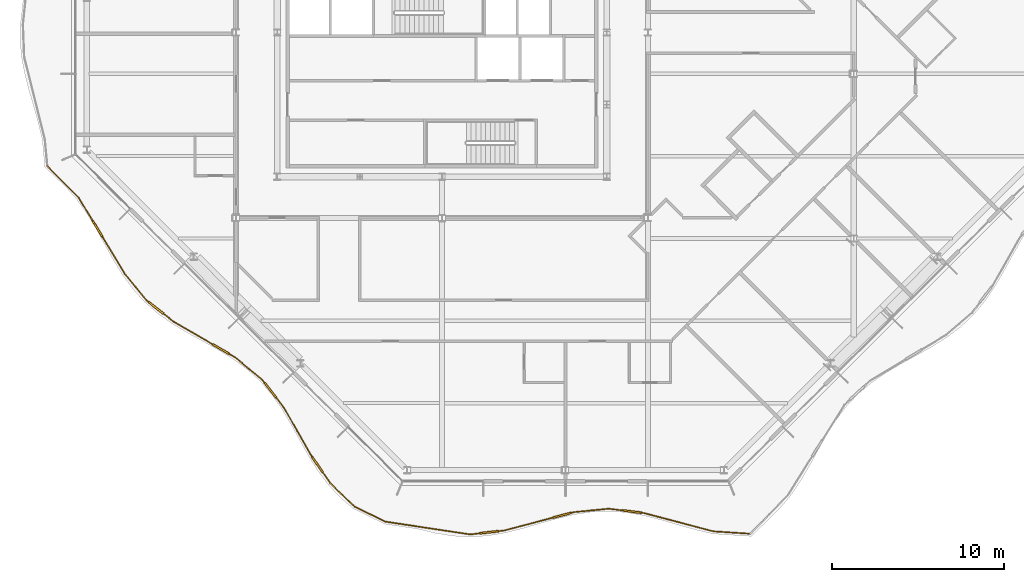
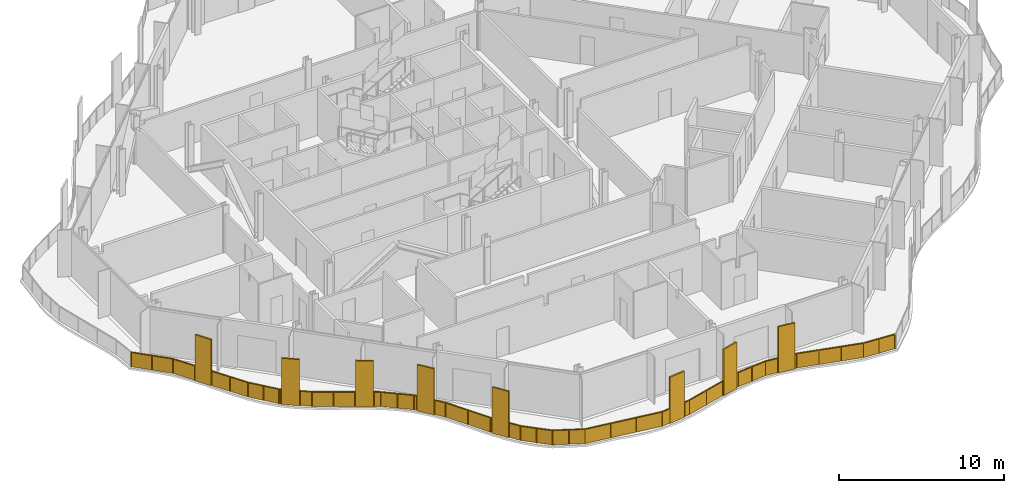
# One storey, part 13 of 17: 1 railing.
"""IFC4 building model written with IfcOpenShell, lengths in metres."""

from ifc_helpers import new_model, si_unit, direction, frame, origin, origin_2d, place, context, subcontext, project, spatial, polyline, rectangle, outline, extrude, material, type_object, element, save


model = new_model("IFC4")

# Units and contexts
model_context = context("Model", 3, precision=1e-05, world=origin(), true_north=direction((0.0, 1.0)))
body_context = subcontext(model_context, "Body", "Model", "MODEL_VIEW")
ifc_project = project(units=[si_unit("LENGTHUNIT", "METRE"), si_unit("AREAUNIT", "SQUARE_METRE"), si_unit("VOLUMEUNIT", "CUBIC_METRE"), si_unit("PLANEANGLEUNIT", "RADIAN"), si_unit("MASSUNIT", "GRAM", prefix="KILO")], contexts=[model_context])

# Site, building, storey
site_placement = place(None, origin())
site = spatial("IfcSite", under=ifc_project, at=site_placement, CompositionType="ELEMENT")
building_placement = place(site_placement, origin())
building = spatial("IfcBuilding", under=site, at=building_placement, Name="Cairn Pilgrim Tower", CompositionType="ELEMENT")
storey_placement = place(building_placement, frame((0.0, 0.0, 250.199951171875)))
storey = spatial("IfcBuildingStorey", under=building, at=storey_placement, Name="L64", CompositionType="ELEMENT", Elevation=250.199951171875)

# Railing
ifc_material = material(Name="Bronze anodised aluminium rail, posts and fin screens with laminated glass infill", Category="aluminium")
railing_type = type_object("IfcRailingType", Name="BALCONY GUARD WITH FIN SCREENS", PredefinedType="GUARDRAIL", material=ifc_material)
railing_placement = place(storey_placement, frame((-15.80615234375, -5.375, 0.0)))
element("IfcRailing", 1, at=railing_placement, inside=storey, type_object=railing_type, Name="Balcony guard BGF-7 with fin screens", PredefinedType="GUARDRAIL", context=body_context, shape_type="SweptSolid", body=[
    extrude(rectangle(XDim=0.050048828125, YDim=0.050048828125, at=origin_2d()), frame((0.0, 0.0, 1.0751953125), z_axis=(0.703225648841, -0.710966726938, 0.0), x_axis=(0.710966726938, 0.703225648841, 0.0)), (0.0, 0.0, 1.0), 2.61767578125),
    extrude(rectangle(XDim=1.10009765625, YDim=0.110107421875, at=origin_2d()), frame((2.92529296875, -3.65185546875, 0.0), z_axis=(0.0, 0.0, 1.0), x_axis=(0.518002181732, -0.855379295822, 0.0)), (0.0, 0.0, 1.0), 3.39990234375),
    extrude(rectangle(XDim=0.050048828125, YDim=0.050048828125, at=origin_2d()), frame((1.8408203125, -1.861083984375, 1.0751953125), z_axis=(0.518002181732, -0.855379295822, 0.0), x_axis=(0.855379295822, 0.518002181732, 0.0)), (0.0, 0.0, 1.0), 1.54345703125),
    extrude(rectangle(XDim=0.050048828125, YDim=0.050048828125, at=origin_2d()), frame((3.210205078125, -4.122314453125, 1.0751953125), z_axis=(0.518002181732, -0.855379295822, 0.0), x_axis=(0.855379295822, 0.518002181732, 0.0)), (0.0, 0.0, 1.0), 2.54150390625),
    extrude(rectangle(XDim=0.050048828125, YDim=0.050048828125, at=origin_2d()), frame((4.526611328125, -6.296142578125, 1.0751953125), z_axis=(0.634057622113, -0.773285802172, 0.0), x_axis=(0.773285802172, 0.634057622113, 0.0)), (0.0, 0.0, 1.0), 1.99365234375),
    extrude(rectangle(XDim=1.10009765625, YDim=0.110107421875, at=origin_2d()), frame((6.342041015625, -8.26953125, 0.0), z_axis=(0.0, 0.0, 1.0), x_axis=(0.787342642203, -0.616515663847, 0.0)), (0.0, 0.0, 1.0), 3.39990234375),
    extrude(rectangle(XDim=0.050048828125, YDim=0.050048828125, at=origin_2d()), frame((5.790771484375, -7.837890625, 1.0751953125), z_axis=(0.787342642203, -0.616515663847, 0.0), x_axis=(0.616515663847, 0.787342642203, 0.0)), (0.0, 0.0, 1.0), 0.150146484375),
    extrude(rectangle(XDim=0.050048828125, YDim=0.050048828125, at=origin_2d()), frame((6.775146484375, -8.608642578125, 1.0751953125), z_axis=(0.787342642203, -0.616515663847, 0.0), x_axis=(0.616515663847, 0.787342642203, 0.0)), (0.0, 0.0, 1.0), 0.749267578125),
    extrude(rectangle(XDim=1.10009765625, YDim=0.110107421875, at=origin_2d()), frame((10.12109375, -10.673828125, 0.0), z_axis=(0.0, 0.0, 1.0), x_axis=(0.864409977314, -0.502787620294, 0.0)), (0.0, 0.0, 1.0), 3.39990234375),
    extrude(rectangle(XDim=0.050048828125, YDim=0.050048828125, at=origin_2d()), frame((7.364990234375, -9.070556640625, 1.0751953125), z_axis=(0.864409977314, -0.502787620294, 0.0), x_axis=(0.502787620294, 0.864409977314, 0.0)), (0.0, 0.0, 1.0), 2.638427734375),
    extrude(rectangle(XDim=0.050048828125, YDim=0.050048828125, at=origin_2d()), frame((10.5966796875, -10.9501953125, 1.0751953125), z_axis=(0.864409977314, -0.502787620294, 0.0), x_axis=(0.502787620294, 0.864409977314, 0.0)), (0.0, 0.0, 1.0), 0.42431640625),
    extrude(rectangle(XDim=0.050048828125, YDim=0.050048828125, at=origin_2d()), frame((10.96337890625, -11.16357421875, 1.0751953125), z_axis=(0.770238920419, -0.63775544331, 0.0), x_axis=(0.63775544331, 0.770238920419, 0.0)), (0.0, 0.0, 1.0), 2.049072265625),
    extrude(rectangle(XDim=1.10009765625, YDim=0.110107421875, at=origin_2d()), frame((13.008056640625, -13.071533203125, 0.0), z_axis=(0.0, 0.0, 1.0), x_axis=(0.612887116001, -0.790170477201, 0.0)), (0.0, 0.0, 1.0), 3.39990234375),
    extrude(rectangle(XDim=0.050048828125, YDim=0.050048828125, at=origin_2d()), frame((12.541748046875, -12.470458984375, 1.0751953125), z_axis=(0.612887116001, -0.790170477201, 0.0), x_axis=(0.790170477201, 0.612887116001, 0.0)), (0.0, 0.0, 1.0), 0.210693359375),
    extrude(rectangle(XDim=0.050048828125, YDim=0.050048828125, at=origin_2d()), frame((13.344970703125, -13.506103515625, 1.0751953125), z_axis=(0.612887116001, -0.790170477201, 0.0), x_axis=(0.790170477201, 0.612887116001, 0.0)), (0.0, 0.0, 1.0), 0.743896484375),
    extrude(rectangle(XDim=0.050048828125, YDim=0.050048828125, at=origin_2d()), frame((13.801025390625, -14.093994140625, 1.0751953125), z_axis=(0.494073652808, -0.869420051299, 0.0), x_axis=(0.869420051299, 0.494073652808, 0.0)), (0.0, 0.0, 1.0), 3.1337890625),
    extrude(rectangle(XDim=1.10009765625, YDim=0.110107421875, at=origin_2d()), frame((15.74462890625, -17.396240234375, 0.0), z_axis=(0.0, 0.0, 1.0), x_axis=(0.564817944853, -0.825215541039, 0.0)), (0.0, 0.0, 1.0), 3.39990234375),
    extrude(rectangle(XDim=0.050048828125, YDim=0.050048828125, at=origin_2d()), frame((15.349365234375, -16.818603515625, 1.0751953125), z_axis=(0.564817944853, -0.825215541039, 0.0), x_axis=(0.825215541039, 0.564817944853, 0.0)), (0.0, 0.0, 1.0), 0.14990234375),
    extrude(rectangle(XDim=0.050048828125, YDim=0.050048828125, at=origin_2d()), frame((16.055419921875, -17.85009765625, 1.0751953125), z_axis=(0.564817944853, -0.825215541039, 0.0), x_axis=(0.825215541039, 0.564817944853, 0.0)), (0.0, 0.0, 1.0), 0.774169921875),
    extrude(rectangle(XDim=0.050048828125, YDim=0.050048828125, at=origin_2d()), frame((16.49267578125, -18.489013671875, 1.0751953125), z_axis=(0.722889046607, -0.690964128082, 0.0), x_axis=(0.690964128082, 0.722889046607, 0.0)), (0.0, 0.0, 1.0), 1.972900390625),
    extrude(rectangle(XDim=0.050048828125, YDim=0.050048828125, at=origin_2d()), frame((17.9189453125, -19.852294921875, 1.0751953125), z_axis=(0.898868001889, -0.438219482885, 0.0), x_axis=(0.438219482885, 0.898868001889, 0.0)), (0.0, 0.0, 1.0), 2.0029296875),
    extrude(rectangle(XDim=0.050048828125, YDim=0.050048828125, at=origin_2d()), frame((19.71923828125, -20.72998046875, 1.0751953125), z_axis=(0.98882115773, -0.149106398339, 0.0), x_axis=(0.149106398339, 0.98882115773, 0.0)), (0.0, 0.0, 1.0), 4.9873046875),
    extrude(rectangle(XDim=1.10009765625, YDim=0.110107421875, at=origin_2d()), frame((25.748779296875, -21.34716796875, 0.0), z_axis=(0.0, 0.0, 1.0), x_axis=(0.993419071083, 0.114536235351, 0.0)), (0.0, 0.0, 1.0), 3.39990234375),
    extrude(rectangle(XDim=0.050048828125, YDim=0.050048828125, at=origin_2d()), frame((24.65087890625, -21.4736328125, 1.0751953125), z_axis=(0.993419071083, 0.114536235351, 0.0), x_axis=(-0.114536235351, 0.993419071083, 0.0)), (0.0, 0.0, 1.0), 0.55517578125),
    extrude(rectangle(XDim=0.050048828125, YDim=0.050048828125, at=origin_2d()), frame((26.295166015625, -21.2841796875, 1.0751953125), z_axis=(0.993419071083, 0.114536235351, 0.0), x_axis=(-0.114536235351, 0.993419071083, 0.0)), (0.0, 0.0, 1.0), 0.3486328125),
    extrude(rectangle(XDim=1.10009765625, YDim=0.110107421875, at=origin_2d()), frame((30.008056640625, -20.35400390625, 0.0), z_axis=(0.0, 0.0, 1.0), x_axis=(0.966778237652, 0.255616586323, 0.0)), (0.0, 0.0, 1.0), 3.39990234375),
    extrude(rectangle(XDim=0.050048828125, YDim=0.050048828125, at=origin_2d()), frame((26.641357421875, -21.244140625, 1.0751953125), z_axis=(0.966778237652, 0.255616586323, 0.0), x_axis=(-0.255616586323, 0.966778237652, 0.0)), (0.0, 0.0, 1.0), 2.9326171875),
    extrude(rectangle(XDim=0.050048828125, YDim=0.050048828125, at=origin_2d()), frame((30.539794921875, -20.21337890625, 1.0751953125), z_axis=(0.966778237652, 0.255616586323, 0.0), x_axis=(-0.255616586323, 0.966778237652, 0.0)), (0.0, 0.0, 1.0), 0.14990234375),
    extrude(rectangle(XDim=0.050048828125, YDim=0.050048828125, at=origin_2d()), frame((30.684814453125, -20.175048828125, 1.0751953125), z_axis=(0.995274913369, 0.097097099946, 0.0), x_axis=(-0.097097099946, 0.995274913369, 0.0)), (0.0, 0.0, 1.0), 2.059326171875),
    extrude(rectangle(XDim=1.10009765625, YDim=0.110107421875, at=origin_2d()), frame((34.08740234375, -20.142578125, 0.0), z_axis=(0.0, 0.0, 1.0), x_axis=(0.992428237928, -0.12282586276, 0.0)), (0.0, 0.0, 1.0), 3.39990234375),
    extrude(rectangle(XDim=0.050048828125, YDim=0.050048828125, at=origin_2d()), frame((32.734375, -19.97509765625, 1.0751953125), z_axis=(0.992428237928, -0.12282586276, 0.0), x_axis=(0.12282586276, 0.992428237928, 0.0)), (0.0, 0.0, 1.0), 0.8134765625),
    extrude(rectangle(XDim=0.050048828125, YDim=0.050048828125, at=origin_2d()), frame((34.63330078125, -20.210205078125, 1.0751953125), z_axis=(0.992428237928, -0.12282586276, 0.0), x_axis=(0.12282586276, 0.992428237928, 0.0)), (0.0, 0.0, 1.0), 0.14990234375),
    extrude(rectangle(XDim=0.050048828125, YDim=0.050048828125, at=origin_2d()), frame((34.781982421875, -20.228515625, 1.0751953125), z_axis=(0.966878119658, -0.255238519283, 0.0), x_axis=(0.255238519283, 0.966878119658, 0.0)), (0.0, 0.0, 1.0), 4.17626953125),
    extrude(rectangle(XDim=0.050048828125, YDim=0.050048828125, at=origin_2d()), frame((38.81982421875, -21.29443359375, 1.0751953125), z_axis=(0.997906462396, -0.064673737393, 0.0), x_axis=(0.064673737393, 0.997906462396, 0.0)), (0.0, 0.0, 1.0), 2.098876953125),
    extrude(rectangle(XDim=0.050048828125, YDim=0.050048828125, at=origin_2d()), origin(), (0.0, 0.0, 1.0), 1.050048828125),
    extrude(rectangle(XDim=0.050048828125, YDim=0.050048828125, at=origin_2d()), frame((0.92041015625, -0.9306640625, 0.0)), (0.0, 0.0, 1.0), 1.050048828125),
    extrude(rectangle(XDim=0.050048828125, YDim=0.050048828125, at=origin_2d()), frame((1.8408203125, -1.861083984375, 0.0)), (0.0, 0.0, 1.0), 1.050048828125),
    extrude(rectangle(XDim=0.050048828125, YDim=0.050048828125, at=origin_2d()), frame((2.62744140625, -3.159912109375, 0.0)), (0.0, 0.0, 1.0), 1.050048828125),
    extrude(rectangle(XDim=0.050048828125, YDim=0.050048828125, at=origin_2d()), frame((3.22314453125, -4.1435546875, 0.0)), (0.0, 0.0, 1.0), 1.050048828125),
    extrude(rectangle(XDim=0.050048828125, YDim=0.050048828125, at=origin_2d()), frame((3.874755859375, -5.219970703125, 0.0)), (0.0, 0.0, 1.0), 1.050048828125),
    extrude(rectangle(XDim=0.050048828125, YDim=0.050048828125, at=origin_2d()), frame((4.526611328125, -6.296142578125, 0.0)), (0.0, 0.0, 1.0), 1.050048828125),
    extrude(rectangle(XDim=0.050048828125, YDim=0.050048828125, at=origin_2d()), frame((5.15869140625, -7.06689453125, 0.0)), (0.0, 0.0, 1.0), 1.050048828125),
    extrude(rectangle(XDim=0.050048828125, YDim=0.050048828125, at=origin_2d()), frame((5.790771484375, -7.837890625, 0.0)), (0.0, 0.0, 1.0), 1.050048828125),
    extrude(rectangle(XDim=0.050048828125, YDim=0.050048828125, at=origin_2d()), frame((5.889404296875, -7.9150390625, 0.0)), (0.0, 0.0, 1.0), 1.050048828125),
    extrude(rectangle(XDim=0.050048828125, YDim=0.050048828125, at=origin_2d()), frame((6.794677734375, -8.6240234375, 0.0)), (0.0, 0.0, 1.0), 1.050048828125),
    extrude(rectangle(XDim=0.050048828125, YDim=0.050048828125, at=origin_2d()), frame((7.364990234375, -9.070556640625, 0.0)), (0.0, 0.0, 1.0), 1.050048828125),
    extrude(rectangle(XDim=0.050048828125, YDim=0.050048828125, at=origin_2d()), frame((8.49462890625, -9.7275390625, 0.0)), (0.0, 0.0, 1.0), 1.050048828125),
    extrude(rectangle(XDim=0.050048828125, YDim=0.050048828125, at=origin_2d()), frame((9.6240234375, -10.384521484375, 0.0)), (0.0, 0.0, 1.0), 1.050048828125),
    extrude(rectangle(XDim=0.050048828125, YDim=0.050048828125, at=origin_2d()), frame((10.6181640625, -10.962890625, 0.0)), (0.0, 0.0, 1.0), 1.050048828125),
    extrude(rectangle(XDim=0.050048828125, YDim=0.050048828125, at=origin_2d()), frame((10.96337890625, -11.16357421875, 0.0)), (0.0, 0.0, 1.0), 1.050048828125),
    extrude(rectangle(XDim=0.050048828125, YDim=0.050048828125, at=origin_2d()), frame((11.75244140625, -11.81689453125, 0.0)), (0.0, 0.0, 1.0), 1.050048828125),
    extrude(rectangle(XDim=0.050048828125, YDim=0.050048828125, at=origin_2d()), frame((12.541748046875, -12.470458984375, 0.0)), (0.0, 0.0, 1.0), 1.050048828125),
    extrude(rectangle(XDim=0.050048828125, YDim=0.050048828125, at=origin_2d()), frame((12.655517578125, -12.6171875, 0.0)), (0.0, 0.0, 1.0), 1.050048828125),
    extrude(rectangle(XDim=0.050048828125, YDim=0.050048828125, at=origin_2d()), frame((13.3603515625, -13.52587890625, 0.0)), (0.0, 0.0, 1.0), 1.050048828125),
    extrude(rectangle(XDim=0.050048828125, YDim=0.050048828125, at=origin_2d()), frame((13.801025390625, -14.093994140625, 0.0)), (0.0, 0.0, 1.0), 1.050048828125),
    extrude(rectangle(XDim=0.050048828125, YDim=0.050048828125, at=origin_2d()), frame((14.5751953125, -15.456298828125, 0.0)), (0.0, 0.0, 1.0), 1.050048828125),
    extrude(rectangle(XDim=0.050048828125, YDim=0.050048828125, at=origin_2d()), frame((15.349365234375, -16.818603515625, 0.0)), (0.0, 0.0, 1.0), 1.050048828125),
    extrude(rectangle(XDim=0.050048828125, YDim=0.050048828125, at=origin_2d()), frame((15.419921875, -16.921630859375, 0.0)), (0.0, 0.0, 1.0), 1.050048828125),
    extrude(rectangle(XDim=0.050048828125, YDim=0.050048828125, at=origin_2d()), frame((16.069580078125, -17.87060546875, 0.0)), (0.0, 0.0, 1.0), 1.050048828125),
    extrude(rectangle(XDim=0.050048828125, YDim=0.050048828125, at=origin_2d()), frame((16.49267578125, -18.489013671875, 0.0)), (0.0, 0.0, 1.0), 1.050048828125),
    extrude(rectangle(XDim=0.050048828125, YDim=0.050048828125, at=origin_2d()), frame((17.205810546875, -19.170654296875, 0.0)), (0.0, 0.0, 1.0), 1.050048828125),
    extrude(rectangle(XDim=0.050048828125, YDim=0.050048828125, at=origin_2d()), frame((17.9189453125, -19.852294921875, 0.0)), (0.0, 0.0, 1.0), 1.050048828125),
    extrude(rectangle(XDim=0.050048828125, YDim=0.050048828125, at=origin_2d()), frame((18.819091796875, -20.291015625, 0.0)), (0.0, 0.0, 1.0), 1.050048828125),
    extrude(rectangle(XDim=0.050048828125, YDim=0.050048828125, at=origin_2d()), frame((19.71923828125, -20.72998046875, 0.0)), (0.0, 0.0, 1.0), 1.050048828125),
    extrude(rectangle(XDim=0.050048828125, YDim=0.050048828125, at=origin_2d()), frame((21.363037109375, -20.977783203125, 0.0)), (0.0, 0.0, 1.0), 1.050048828125),
    extrude(rectangle(XDim=0.050048828125, YDim=0.050048828125, at=origin_2d()), frame((23.007080078125, -21.225830078125, 0.0)), (0.0, 0.0, 1.0), 1.050048828125),
    extrude(rectangle(XDim=0.050048828125, YDim=0.050048828125, at=origin_2d()), frame((24.65087890625, -21.4736328125, 0.0)), (0.0, 0.0, 1.0), 1.050048828125),
    extrude(rectangle(XDim=0.050048828125, YDim=0.050048828125, at=origin_2d()), frame((25.177490234375, -21.412841796875, 0.0)), (0.0, 0.0, 1.0), 1.050048828125),
    extrude(rectangle(XDim=0.050048828125, YDim=0.050048828125, at=origin_2d()), frame((26.31982421875, -21.28125, 0.0)), (0.0, 0.0, 1.0), 1.050048828125),
    extrude(rectangle(XDim=0.050048828125, YDim=0.050048828125, at=origin_2d()), frame((26.641357421875, -21.244140625, 0.0)), (0.0, 0.0, 1.0), 1.050048828125),
    extrude(rectangle(XDim=0.050048828125, YDim=0.050048828125, at=origin_2d()), frame((28.046875, -20.87255859375, 0.0)), (0.0, 0.0, 1.0), 1.050048828125),
    extrude(rectangle(XDim=0.050048828125, YDim=0.050048828125, at=origin_2d()), frame((29.4521484375, -20.5009765625, 0.0)), (0.0, 0.0, 1.0), 1.050048828125),
    extrude(rectangle(XDim=0.050048828125, YDim=0.050048828125, at=origin_2d()), frame((30.564208984375, -20.20703125, 0.0)), (0.0, 0.0, 1.0), 1.050048828125),
    extrude(rectangle(XDim=0.050048828125, YDim=0.050048828125, at=origin_2d()), frame((30.684814453125, -20.175048828125, 0.0)), (0.0, 0.0, 1.0), 1.050048828125),
    extrude(rectangle(XDim=0.050048828125, YDim=0.050048828125, at=origin_2d()), frame((31.70947265625, -20.0751953125, 0.0)), (0.0, 0.0, 1.0), 1.050048828125),
    extrude(rectangle(XDim=0.050048828125, YDim=0.050048828125, at=origin_2d()), frame((32.734375, -19.97509765625, 0.0)), (0.0, 0.0, 1.0), 1.050048828125),
    extrude(rectangle(XDim=0.050048828125, YDim=0.050048828125, at=origin_2d()), frame((33.516845703125, -20.072021484375, 0.0)), (0.0, 0.0, 1.0), 1.050048828125),
    extrude(rectangle(XDim=0.050048828125, YDim=0.050048828125, at=origin_2d()), frame((34.658203125, -20.213134765625, 0.0)), (0.0, 0.0, 1.0), 1.050048828125),
    extrude(rectangle(XDim=0.050048828125, YDim=0.050048828125, at=origin_2d()), frame((34.781982421875, -20.228515625, 0.0)), (0.0, 0.0, 1.0), 1.050048828125),
    extrude(rectangle(XDim=0.050048828125, YDim=0.050048828125, at=origin_2d()), frame((36.1279296875, -20.583740234375, 0.0)), (0.0, 0.0, 1.0), 1.050048828125),
    extrude(rectangle(XDim=0.050048828125, YDim=0.050048828125, at=origin_2d()), frame((37.473876953125, -20.939208984375, 0.0)), (0.0, 0.0, 1.0), 1.050048828125),
    extrude(rectangle(XDim=0.050048828125, YDim=0.050048828125, at=origin_2d()), frame((38.81982421875, -21.29443359375, 0.0)), (0.0, 0.0, 1.0), 1.050048828125),
    extrude(rectangle(XDim=0.050048828125, YDim=0.050048828125, at=origin_2d()), frame((39.8671875, -21.3623046875, 0.0)), (0.0, 0.0, 1.0), 1.050048828125),
    extrude(rectangle(XDim=0.050048828125, YDim=0.050048828125, at=origin_2d()), frame((40.914306640625, -21.43017578125, 0.0)), (0.0, 0.0, 1.0), 1.050048828125),
    extrude(outline(polyline([(0.02490234375, 0.0), (1.283935546875, 0.0), (1.283935546875, 1.050048828125), (0.02490234375, 1.050048828125), (0.02490234375, 0.0)])), frame((0.004150390625, 0.004150390625, 0.0), z_axis=(-0.710966726938, -0.703225648841, 0.0), x_axis=(0.703225648841, -0.710966726938, 0.0)), (0.0, 0.0, 1.0), 0.011962890625),
    extrude(outline(polyline([(0.02490234375, 0.0), (1.283935546875, 0.0), (1.283935546875, 1.050048828125), (0.02490234375, 1.050048828125), (0.02490234375, 0.0)])), frame((0.924560546875, -0.92626953125, 0.0), z_axis=(-0.710966726938, -0.703225648841, 0.0), x_axis=(0.703225648841, -0.710966726938, 0.0)), (0.0, 0.0, 1.0), 0.011962890625),
    extrude(outline(polyline([(0.02490234375, 0.0), (1.493408203125, 0.0), (1.493408203125, 1.050048828125), (0.02490234375, 1.050048828125), (0.02490234375, 0.0)])), frame((1.845947265625, -1.85791015625, 0.0), z_axis=(-0.855379295822, -0.518002181732, 0.0), x_axis=(0.518002181732, -0.855379295822, 0.0)), (0.0, 0.0, 1.0), 0.011962890625),
    extrude(outline(polyline([(0.02490234375, 0.0), (1.233154296875, 0.0), (1.233154296875, 1.050048828125), (0.02490234375, 1.050048828125), (0.02490234375, 0.0)])), frame((3.228271484375, -4.140625, 0.0), z_axis=(-0.855379295822, -0.518002181732, 0.0), x_axis=(0.518002181732, -0.855379295822, 0.0)), (0.0, 0.0, 1.0), 0.011962890625),
    extrude(outline(polyline([(0.02490234375, 0.0), (1.233154296875, 0.0), (1.233154296875, 1.050048828125), (0.02490234375, 1.050048828125), (0.02490234375, 0.0)])), frame((3.8798828125, -5.216796875, 0.0), z_axis=(-0.855379295822, -0.518002181732, 0.0), x_axis=(0.518002181732, -0.855379295822, 0.0)), (0.0, 0.0, 1.0), 0.011962890625),
    extrude(outline(polyline([(0.02490234375, 0.0), (0.971923828125, 0.0), (0.971923828125, 1.050048828125), (0.02490234375, 1.050048828125), (0.02490234375, 0.0)])), frame((4.53125, -6.292236328125, 0.0), z_axis=(-0.773285802172, -0.634057622113, 0.0), x_axis=(0.634057622113, -0.773285802172, 0.0)), (0.0, 0.0, 1.0), 0.011962890625),
    extrude(outline(polyline([(0.02490234375, 0.0), (0.971923828125, 0.0), (0.971923828125, 1.050048828125), (0.02490234375, 1.050048828125), (0.02490234375, 0.0)])), frame((5.163330078125, -7.063232421875, 0.0), z_axis=(-0.773285802172, -0.634057622113, 0.0), x_axis=(0.634057622113, -0.773285802172, 0.0)), (0.0, 0.0, 1.0), 0.011962890625),
    extrude(outline(polyline([(0.02490234375, 0.0), (0.10009765625, 0.0), (0.10009765625, 1.050048828125), (0.02490234375, 1.050048828125), (0.02490234375, 0.0)])), frame((5.79443359375, -7.833251953125, 0.0), z_axis=(-0.616515663847, -0.787342642203, 0.0), x_axis=(0.787342642203, -0.616515663847, 0.0)), (0.0, 0.0, 1.0), 0.011962890625),
    extrude(outline(polyline([(0.02490234375, 0.0), (0.69921875, 0.0), (0.69921875, 1.050048828125), (0.02490234375, 1.050048828125), (0.02490234375, 0.0)])), frame((6.79833984375, -8.619384765625, 0.0), z_axis=(-0.616515663847, -0.787342642203, 0.0), x_axis=(0.787342642203, -0.616515663847, 0.0)), (0.0, 0.0, 1.0), 0.011962890625),
    extrude(outline(polyline([(0.02490234375, 0.0), (1.28173828125, 0.0), (1.28173828125, 1.050048828125), (0.02490234375, 1.050048828125), (0.02490234375, 0.0)])), frame((7.367919921875, -9.0654296875, 0.0), z_axis=(-0.502787620294, -0.864409977314, 0.0), x_axis=(0.864409977314, -0.502787620294, 0.0)), (0.0, 0.0, 1.0), 0.011962890625),
    extrude(outline(polyline([(0.02490234375, 0.0), (1.28173828125, 0.0), (1.28173828125, 1.050048828125), (0.02490234375, 1.050048828125), (0.02490234375, 0.0)])), frame((8.49755859375, -9.722412109375, 0.0), z_axis=(-0.502787620294, -0.864409977314, 0.0), x_axis=(0.864409977314, -0.502787620294, 0.0)), (0.0, 0.0, 1.0), 0.011962890625),
    extrude(outline(polyline([(0.02490234375, 0.0), (0.374267578125, 0.0), (0.374267578125, 1.050048828125), (0.02490234375, 1.050048828125), (0.02490234375, 0.0)])), frame((10.621337890625, -10.957763671875, 0.0), z_axis=(-0.502787620294, -0.864409977314, 0.0), x_axis=(0.864409977314, -0.502787620294, 0.0)), (0.0, 0.0, 1.0), 0.011962890625),
    extrude(outline(polyline([(0.02490234375, 0.0), (0.99951171875, 0.0), (0.99951171875, 1.050048828125), (0.02490234375, 1.050048828125), (0.02490234375, 0.0)])), frame((10.96728515625, -11.158935546875, 0.0), z_axis=(-0.63775544331, -0.770238920419, 0.0), x_axis=(0.770238920419, -0.63775544331, 0.0)), (0.0, 0.0, 1.0), 0.011962890625),
    extrude(outline(polyline([(0.02490234375, 0.0), (0.99951171875, 0.0), (0.99951171875, 1.050048828125), (0.02490234375, 1.050048828125), (0.02490234375, 0.0)])), frame((11.75634765625, -11.8125, 0.0), z_axis=(-0.63775544331, -0.770238920419, 0.0), x_axis=(0.770238920419, -0.63775544331, 0.0)), (0.0, 0.0, 1.0), 0.011962890625),
    extrude(outline(polyline([(0.02490234375, 0.0), (0.16064453125, 0.0), (0.16064453125, 1.050048828125), (0.02490234375, 1.050048828125), (0.02490234375, 0.0)])), frame((12.54638671875, -12.466796875, 0.0), z_axis=(-0.790170477201, -0.612887116001, 0.0), x_axis=(0.612887116001, -0.790170477201, 0.0)), (0.0, 0.0, 1.0), 0.011962890625),
    extrude(outline(polyline([(0.02490234375, 0.0), (0.69384765625, 0.0), (0.69384765625, 1.050048828125), (0.02490234375, 1.050048828125), (0.02490234375, 0.0)])), frame((13.365234375, -13.522216796875, 0.0), z_axis=(-0.790170477201, -0.612887116001, 0.0), x_axis=(0.612887116001, -0.790170477201, 0.0)), (0.0, 0.0, 1.0), 0.011962890625),
    extrude(outline(polyline([(0.02490234375, 0.0), (1.5419921875, 0.0), (1.5419921875, 1.050048828125), (0.02490234375, 1.050048828125), (0.02490234375, 0.0)])), frame((13.80615234375, -14.091064453125, 0.0), z_axis=(-0.869420051299, -0.494073652808, 0.0), x_axis=(0.494073652808, -0.869420051299, 0.0)), (0.0, 0.0, 1.0), 0.011962890625),
    extrude(outline(polyline([(0.02490234375, 0.0), (1.5419921875, 0.0), (1.5419921875, 1.050048828125), (0.02490234375, 1.050048828125), (0.02490234375, 0.0)])), frame((14.580322265625, -15.453369140625, 0.0), z_axis=(-0.869420051299, -0.494073652808, 0.0), x_axis=(0.494073652808, -0.869420051299, 0.0)), (0.0, 0.0, 1.0), 0.011962890625),
    extrude(outline(polyline([(0.02490234375, 0.0), (0.099853515625, 0.0), (0.099853515625, 1.050048828125), (0.02490234375, 1.050048828125), (0.02490234375, 0.0)])), frame((15.354248046875, -16.815185546875, 0.0), z_axis=(-0.825215541039, -0.564817944853, 0.0), x_axis=(0.564817944853, -0.825215541039, 0.0)), (0.0, 0.0, 1.0), 0.011962890625),
    extrude(outline(polyline([(0.02490234375, 0.0), (0.72412109375, 0.0), (0.72412109375, 1.050048828125), (0.02490234375, 1.050048828125), (0.02490234375, 0.0)])), frame((16.074462890625, -17.867431640625, 0.0), z_axis=(-0.825215541039, -0.564817944853, 0.0), x_axis=(0.564817944853, -0.825215541039, 0.0)), (0.0, 0.0, 1.0), 0.011962890625),
    extrude(outline(polyline([(0.02490234375, 0.0), (0.96142578125, 0.0), (0.96142578125, 1.050048828125), (0.02490234375, 1.050048828125), (0.02490234375, 0.0)])), frame((16.496826171875, -18.484619140625, 0.0), z_axis=(-0.690964128082, -0.722889046607, 0.0), x_axis=(0.722889046607, -0.690964128082, 0.0)), (0.0, 0.0, 1.0), 0.011962890625),
    extrude(outline(polyline([(0.02490234375, 0.0), (0.96142578125, 0.0), (0.96142578125, 1.050048828125), (0.02490234375, 1.050048828125), (0.02490234375, 0.0)])), frame((17.2099609375, -19.166259765625, 0.0), z_axis=(-0.690964128082, -0.722889046607, 0.0), x_axis=(0.722889046607, -0.690964128082, 0.0)), (0.0, 0.0, 1.0), 0.011962890625),
    extrude(outline(polyline([(0.02490234375, 0.0), (0.976318359375, 0.0), (0.976318359375, 1.050048828125), (0.02490234375, 1.050048828125), (0.02490234375, 0.0)])), frame((17.921630859375, -19.846923828125, 0.0), z_axis=(-0.438219482885, -0.898868001889, 0.0), x_axis=(0.898868001889, -0.438219482885, 0.0)), (0.0, 0.0, 1.0), 0.011962890625),
    extrude(outline(polyline([(0.02490234375, 0.0), (0.976318359375, 0.0), (0.976318359375, 1.050048828125), (0.02490234375, 1.050048828125), (0.02490234375, 0.0)])), frame((18.82177734375, -20.28564453125, 0.0), z_axis=(-0.438219482885, -0.898868001889, 0.0), x_axis=(0.898868001889, -0.438219482885, 0.0)), (0.0, 0.0, 1.0), 0.011962890625),
    extrude(outline(polyline([(0.02490234375, 0.0), (1.637451171875, 0.0), (1.637451171875, 1.050048828125), (0.02490234375, 1.050048828125), (0.02490234375, 0.0)])), frame((19.72021484375, -20.72412109375, 0.0), z_axis=(-0.149106398339, -0.98882115773, 0.0), x_axis=(0.98882115773, -0.149106398339, 0.0)), (0.0, 0.0, 1.0), 0.011962890625),
    extrude(outline(polyline([(0.02490234375, 0.0), (1.637451171875, 0.0), (1.637451171875, 1.050048828125), (0.02490234375, 1.050048828125), (0.02490234375, 0.0)])), frame((21.364013671875, -20.971923828125, 0.0), z_axis=(-0.149106398339, -0.98882115773, 0.0), x_axis=(0.98882115773, -0.149106398339, 0.0)), (0.0, 0.0, 1.0), 0.011962890625),
    extrude(outline(polyline([(0.02490234375, 0.0), (1.637451171875, 0.0), (1.637451171875, 1.050048828125), (0.02490234375, 1.050048828125), (0.02490234375, 0.0)])), frame((23.0078125, -21.2197265625, 0.0), z_axis=(-0.149106398339, -0.98882115773, 0.0), x_axis=(0.98882115773, -0.149106398339, 0.0)), (0.0, 0.0, 1.0), 0.011962890625),
    extrude(outline(polyline([(0.02490234375, 0.0), (0.505126953125, 0.0), (0.505126953125, 1.050048828125), (0.02490234375, 1.050048828125), (0.02490234375, 0.0)])), frame((24.650146484375, -21.4677734375, 0.0), z_axis=(0.114536235351, -0.993419071083, 0.0), x_axis=(0.993419071083, 0.114536235351, 0.0)), (0.0, 0.0, 1.0), 0.011962890625),
    extrude(outline(polyline([(0.02490234375, 0.0), (0.298583984375, 0.0), (0.298583984375, 1.050048828125), (0.02490234375, 1.050048828125), (0.02490234375, 0.0)])), frame((26.3193359375, -21.275146484375, 0.0), z_axis=(0.114536235351, -0.993419071083, 0.0), x_axis=(0.993419071083, 0.114536235351, 0.0)), (0.0, 0.0, 1.0), 0.011962890625),
    extrude(outline(polyline([(0.02490234375, 0.0), (1.4287109375, 0.0), (1.4287109375, 1.050048828125), (0.02490234375, 1.050048828125), (0.02490234375, 0.0)])), frame((26.639892578125, -21.23828125, 0.0), z_axis=(0.255616586323, -0.966778237652, 0.0), x_axis=(0.966778237652, 0.255616586323, 0.0)), (0.0, 0.0, 1.0), 0.011962890625),
    extrude(outline(polyline([(0.02490234375, 0.0), (1.4287109375, 0.0), (1.4287109375, 1.050048828125), (0.02490234375, 1.050048828125), (0.02490234375, 0.0)])), frame((28.045166015625, -20.86669921875, 0.0), z_axis=(0.255616586323, -0.966778237652, 0.0), x_axis=(0.966778237652, 0.255616586323, 0.0)), (0.0, 0.0, 1.0), 0.011962890625),
    extrude(outline(polyline([(0.02490234375, 0.0), (0.099853515625, 0.0), (0.099853515625, 1.050048828125), (0.02490234375, 1.050048828125), (0.02490234375, 0.0)])), frame((30.5625, -20.201171875, 0.0), z_axis=(0.255616586323, -0.966778237652, 0.0), x_axis=(0.966778237652, 0.255616586323, 0.0)), (0.0, 0.0, 1.0), 0.011962890625),
    extrude(outline(polyline([(0.02490234375, 0.0), (1.004638671875, 0.0), (1.004638671875, 1.050048828125), (0.02490234375, 1.050048828125), (0.02490234375, 0.0)])), frame((30.684326171875, -20.169189453125, 0.0), z_axis=(0.097097099946, -0.995274913369, 0.0), x_axis=(0.995274913369, 0.097097099946, 0.0)), (0.0, 0.0, 1.0), 0.011962890625),
    extrude(outline(polyline([(0.02490234375, 0.0), (1.004638671875, 0.0), (1.004638671875, 1.050048828125), (0.02490234375, 1.050048828125), (0.02490234375, 0.0)])), frame((31.708984375, -20.069091796875, 0.0), z_axis=(0.097097099946, -0.995274913369, 0.0), x_axis=(0.995274913369, 0.097097099946, 0.0)), (0.0, 0.0, 1.0), 0.011962890625),
    extrude(outline(polyline([(0.02490234375, 0.0), (0.763427734375, 0.0), (0.763427734375, 1.050048828125), (0.02490234375, 1.050048828125), (0.02490234375, 0.0)])), frame((32.735107421875, -19.96923828125, 0.0), z_axis=(-0.12282586276, -0.992428237928, 0.0), x_axis=(0.992428237928, -0.12282586276, 0.0)), (0.0, 0.0, 1.0), 0.011962890625),
    extrude(outline(polyline([(0.02490234375, 0.0), (0.099853515625, 0.0), (0.099853515625, 1.050048828125), (0.02490234375, 1.050048828125), (0.02490234375, 0.0)])), frame((34.658935546875, -20.207275390625, 0.0), z_axis=(-0.12282586276, -0.992428237928, 0.0), x_axis=(0.992428237928, -0.12282586276, 0.0)), (0.0, 0.0, 1.0), 0.011962890625),
    extrude(outline(polyline([(0.02490234375, 0.0), (1.366943359375, 0.0), (1.366943359375, 1.050048828125), (0.02490234375, 1.050048828125), (0.02490234375, 0.0)])), frame((34.783447265625, -20.22265625, 0.0), z_axis=(-0.255238519283, -0.966878119658, 0.0), x_axis=(0.966878119658, -0.255238519283, 0.0)), (0.0, 0.0, 1.0), 0.011962890625),
    extrude(outline(polyline([(0.02490234375, 0.0), (1.366943359375, 0.0), (1.366943359375, 1.050048828125), (0.02490234375, 1.050048828125), (0.02490234375, 0.0)])), frame((36.12939453125, -20.578125, 0.0), z_axis=(-0.255238519283, -0.966878119658, 0.0), x_axis=(0.966878119658, -0.255238519283, 0.0)), (0.0, 0.0, 1.0), 0.011962890625),
    extrude(outline(polyline([(0.02490234375, 0.0), (1.366943359375, 0.0), (1.366943359375, 1.050048828125), (0.02490234375, 1.050048828125), (0.02490234375, 0.0)])), frame((37.475341796875, -20.933349609375, 0.0), z_axis=(-0.255238519283, -0.966878119658, 0.0), x_axis=(0.966878119658, -0.255238519283, 0.0)), (0.0, 0.0, 1.0), 0.011962890625),
    extrude(outline(polyline([(0.02490234375, 0.0), (1.0244140625, 0.0), (1.0244140625, 1.050048828125), (0.02490234375, 1.050048828125), (0.02490234375, 0.0)])), frame((38.8203125, -21.28857421875, 0.0), z_axis=(-0.064673737393, -0.997906462396, 0.0), x_axis=(0.997906462396, -0.064673737393, 0.0)), (0.0, 0.0, 1.0), 0.011962890625),
    extrude(outline(polyline([(0.02490234375, 0.0), (1.0244140625, 0.0), (1.0244140625, 1.050048828125), (0.02490234375, 1.050048828125), (0.02490234375, 0.0)])), frame((39.867431640625, -21.3564453125, 0.0), z_axis=(-0.064673737393, -0.997906462396, 0.0), x_axis=(0.997906462396, -0.064673737393, 0.0)), (0.0, 0.0, 1.0), 0.011962890625),
])

save(model, "model.ifc")
